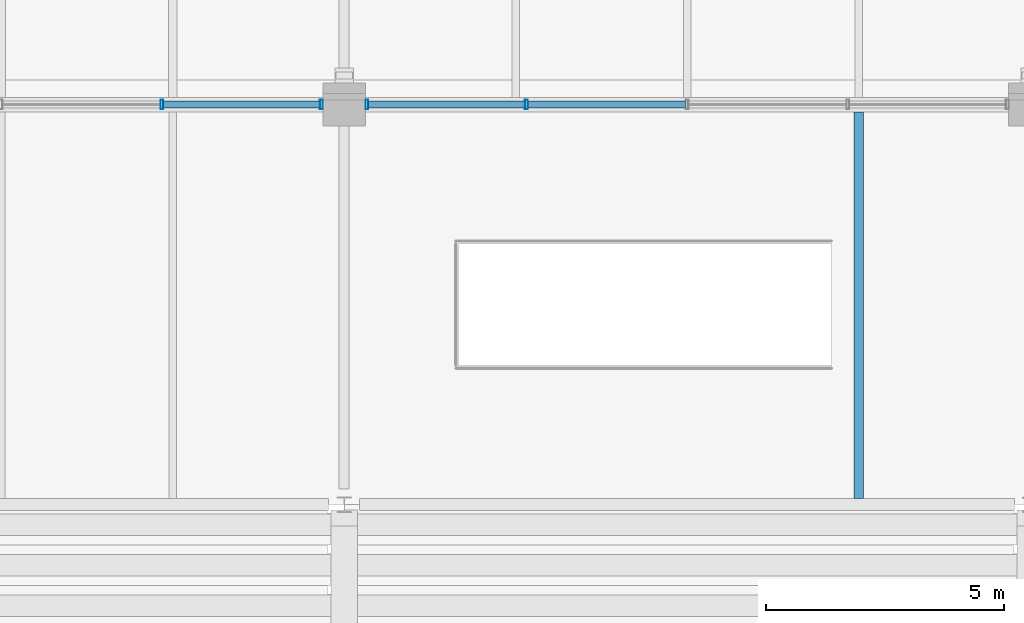
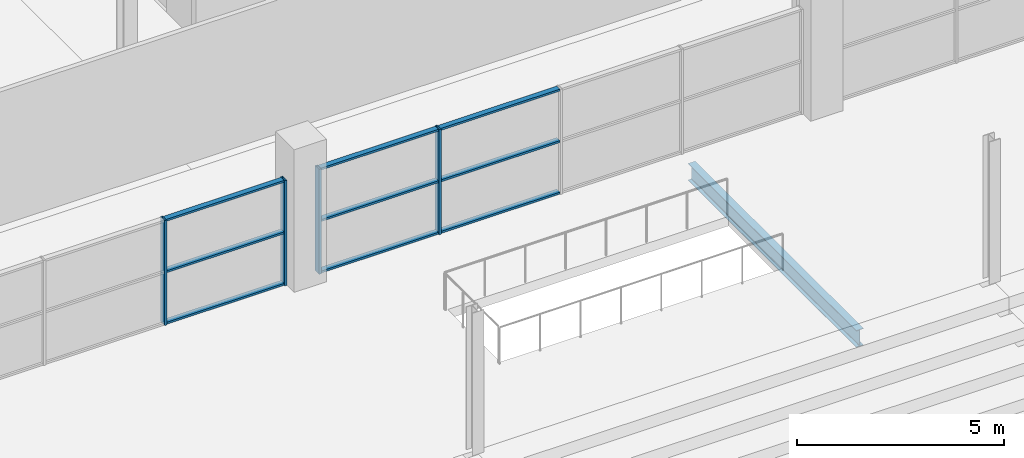
# One storey, part 64 of 161: 13 members, 1 beam, 2 elements without a shape of their own.
"""IFC4 building model written with IfcOpenShell, lengths in metres."""

from ifc_helpers import new_model, si_unit, direction, frame, origin, origin_2d, place, context, subcontext, project, spatial, hollow_rectangle, i_section, extrude, material, material_profile, profile_set, type_object, element, aggregate, save


model = new_model("IFC4")

# Units and contexts
model_context = context("Model", 3, precision=1e-05, world=origin(), true_north=direction((0.0, 1.0)))
body_context = subcontext(model_context, "Body", "Model", "MODEL_VIEW")
ifc_project = project(units=[si_unit("LENGTHUNIT", "METRE"), si_unit("AREAUNIT", "SQUARE_METRE"), si_unit("VOLUMEUNIT", "CUBIC_METRE"), si_unit("PLANEANGLEUNIT", "RADIAN"), si_unit("MASSUNIT", "GRAM", prefix="KILO"), si_unit("THERMODYNAMICTEMPERATUREUNIT", "KELVIN")], contexts=[model_context])

# Site, building, storey
site_placement = place(None, origin())
site = spatial("IfcSite", under=ifc_project, at=site_placement, CompositionType="ELEMENT")
building_placement = place(site_placement, origin())
building = spatial("IfcBuilding", under=site, at=building_placement, Name="Nduvali Passage Aquatics Centre", CompositionType="ELEMENT")
storey_placement = place(building_placement, frame((0.0, 0.0, 4.800048828125)))
storey = spatial("IfcBuildingStorey", under=building, at=storey_placement, Name="L01", CompositionType="ELEMENT", Elevation=4.800048828125)

# Curtain wall, members
ifc_material_1 = material(Name="Aluminium EN AW-6063 T6", Category="aluminium")
curtain_wall_type = type_object("IfcCurtainWallType", Name="ENV-CW-HALL", PredefinedType="NOTDEFINED", material=ifc_material_1)
curtain_wall_1_placement = place(storey_placement, origin())
curtain_wall_1 = element("IfcCurtainWall", 1, at=curtain_wall_1_placement, inside=storey, type_object=curtain_wall_type, Name="L01 North Pool Hall Concourse CW 061", PredefinedType="NOTDEFINED")
ifc_material_profile_1 = material_profile(ifc_material_1, hollow_rectangle(XDim=0.06005859375, YDim=0.199951171875, WallThickness=0.00390625, at=origin_2d()), Name="ALU MULLION 60x200x4")
ifc_profile_set_1 = profile_set([ifc_material_profile_1], Name="Aluminium EN AW-6063 T6")
member_type_1 = type_object("IfcMemberType", Name="ENV-MEM-MUL80", PredefinedType="MULLION", material=ifc_profile_set_1)
member_1_placement = place(storey_placement, frame((64.574951171875, 92.39990234375, 0.0), z_axis=(0.0, 0.0, 1.0), x_axis=(1.0, 0.0, 0.0)))
member_1 = element("IfcMember", 2, at=member_1_placement, type_object=member_type_1, Name="North Pool Hall Concourse CW Mullion 4", PredefinedType="MULLION", context=body_context, shape_type="SweptSolid", body=[
    extrude(hollow_rectangle(XDim=0.06005859375, YDim=0.199951171875, WallThickness=0.00390625, at=origin_2d()), origin(), (0.0, 0.0, 1.0), 3.09521484375),
])
member_2_placement = place(storey_placement, frame((67.919921875, 92.39990234375, 0.0), z_axis=(0.0, 0.0, 1.0), x_axis=(1.0, 0.0, 0.0)))
member_2 = element("IfcMember", 3, at=member_2_placement, type_object=member_type_1, Name="North Pool Hall Concourse CW Mullion 5", PredefinedType="MULLION", context=body_context, shape_type="SweptSolid", body=[
    extrude(hollow_rectangle(XDim=0.06005859375, YDim=0.199951171875, WallThickness=0.00390625, at=origin_2d()), origin(), (0.0, 0.0, 1.0), 3.09521484375),
])

curtain_wall_2_placement = place(storey_placement, origin())
curtain_wall_2 = element("IfcCurtainWall", 4, at=curtain_wall_2_placement, inside=storey, type_object=curtain_wall_type, Name="L01 North Pool Hall Concourse CW 062", PredefinedType="NOTDEFINED")
member_3_placement = place(storey_placement, frame((68.8798828125, 92.39990234375, 0.0), z_axis=(0.0, 0.0, 1.0), x_axis=(1.0, 0.0, 0.0)))
member_3 = element("IfcMember", 5, at=member_3_placement, type_object=member_type_1, Name="North Pool Hall Concourse CW Mullion 1", PredefinedType="MULLION", context=body_context, shape_type="SweptSolid", body=[
    extrude(hollow_rectangle(XDim=0.06005859375, YDim=0.199951171875, WallThickness=0.00390625, at=origin_2d()), origin(), (0.0, 0.0, 1.0), 3.09521484375),
])
member_4_placement = place(storey_placement, frame((72.22509765625, 92.39990234375, 0.0), z_axis=(0.0, 0.0, 1.0), x_axis=(1.0, 0.0, 0.0)))
member_4 = element("IfcMember", 6, at=member_4_placement, type_object=member_type_1, Name="North Pool Hall Concourse CW Mullion 2", PredefinedType="MULLION", context=body_context, shape_type="SweptSolid", body=[
    extrude(hollow_rectangle(XDim=0.06005859375, YDim=0.199951171875, WallThickness=0.00390625, at=origin_2d()), origin(), (0.0, 0.0, 1.0), 3.09521484375),
])

# Member
ifc_material_profile_2 = material_profile(ifc_material_1, hollow_rectangle(XDim=0.14990234375, YDim=0.06005859375, WallThickness=0.00390625, at=origin_2d()), Name="ALU TRANSOM 150x60x4")
ifc_profile_set_2 = profile_set([ifc_material_profile_2], Name="Aluminium EN AW-6063 T6")
member_type_2 = type_object("IfcMemberType", Name="ENV-MEM-TRN80", PredefinedType="USERDEFINED", material=ifc_profile_set_2)
member_5_placement = place(storey_placement, frame((64.60498046875, 92.39990234375, 0.030029296875), z_axis=(1.0, 0.0, 0.0), x_axis=(0.0, 1.0, 0.0)))
member_5 = element("IfcMember", 7, at=member_5_placement, type_object=member_type_2, Name="North Pool Hall Concourse CW Transom B4-R0", ObjectType="TRANSOM", PredefinedType="USERDEFINED", context=body_context, shape_type="SweptSolid", body=[
    extrude(hollow_rectangle(XDim=0.14990234375, YDim=0.06005859375, WallThickness=0.00390625, at=origin_2d()), origin(), (0.0, 0.0, 1.0), 3.284912109375),
])

member_6_placement = place(storey_placement, frame((64.60498046875, 92.39990234375, 1.547607421875), z_axis=(1.0, 0.0, 0.0), x_axis=(0.0, 1.0, 0.0)))
member_6 = element("IfcMember", 8, at=member_6_placement, type_object=member_type_2, Name="North Pool Hall Concourse CW Transom B4-R1", ObjectType="TRANSOM", PredefinedType="USERDEFINED", context=body_context, shape_type="SweptSolid", body=[
    extrude(hollow_rectangle(XDim=0.14990234375, YDim=0.06005859375, WallThickness=0.00390625, at=origin_2d()), origin(), (0.0, 0.0, 1.0), 3.284912109375),
])

member_7_placement = place(storey_placement, frame((64.60498046875, 92.39990234375, 3.065185546875), z_axis=(1.0, 0.0, 0.0), x_axis=(0.0, 1.0, 0.0)))
member_7 = element("IfcMember", 9, at=member_7_placement, type_object=member_type_2, Name="North Pool Hall Concourse CW Transom B4-R2", ObjectType="TRANSOM", PredefinedType="USERDEFINED", context=body_context, shape_type="SweptSolid", body=[
    extrude(hollow_rectangle(XDim=0.14990234375, YDim=0.06005859375, WallThickness=0.00390625, at=origin_2d()), origin(), (0.0, 0.0, 1.0), 3.284912109375),
])

aggregate(curtain_wall_1, [member_1, member_2, member_5, member_6, member_7])

member_8_placement = place(storey_placement, frame((68.909912109375, 92.39990234375, 0.030029296875), z_axis=(1.0, 0.0, 0.0), x_axis=(0.0, 1.0, 0.0)))
member_8 = element("IfcMember", 10, at=member_8_placement, type_object=member_type_2, Name="North Pool Hall Concourse CW Transom B1-R0", ObjectType="TRANSOM", PredefinedType="USERDEFINED", context=body_context, shape_type="SweptSolid", body=[
    extrude(hollow_rectangle(XDim=0.14990234375, YDim=0.06005859375, WallThickness=0.00390625, at=origin_2d()), origin(), (0.0, 0.0, 1.0), 3.28515625),
])

member_9_placement = place(storey_placement, frame((68.909912109375, 92.39990234375, 1.547607421875), z_axis=(1.0, 0.0, 0.0), x_axis=(0.0, 1.0, 0.0)))
member_9 = element("IfcMember", 11, at=member_9_placement, type_object=member_type_2, Name="North Pool Hall Concourse CW Transom B1-R1", ObjectType="TRANSOM", PredefinedType="USERDEFINED", context=body_context, shape_type="SweptSolid", body=[
    extrude(hollow_rectangle(XDim=0.14990234375, YDim=0.06005859375, WallThickness=0.00390625, at=origin_2d()), origin(), (0.0, 0.0, 1.0), 3.28515625),
])

member_10_placement = place(storey_placement, frame((68.909912109375, 92.39990234375, 3.065185546875), z_axis=(1.0, 0.0, 0.0), x_axis=(0.0, 1.0, 0.0)))
member_10 = element("IfcMember", 12, at=member_10_placement, type_object=member_type_2, Name="North Pool Hall Concourse CW Transom B1-R2", ObjectType="TRANSOM", PredefinedType="USERDEFINED", context=body_context, shape_type="SweptSolid", body=[
    extrude(hollow_rectangle(XDim=0.14990234375, YDim=0.06005859375, WallThickness=0.00390625, at=origin_2d()), origin(), (0.0, 0.0, 1.0), 3.28515625),
])

member_11_placement = place(storey_placement, frame((72.2548828125, 92.39990234375, 0.030029296875), z_axis=(1.0, 0.0, 0.0), x_axis=(0.0, 1.0, 0.0)))
member_11 = element("IfcMember", 13, at=member_11_placement, type_object=member_type_2, Name="North Pool Hall Concourse CW Transom B2-R0", ObjectType="TRANSOM", PredefinedType="USERDEFINED", context=body_context, shape_type="SweptSolid", body=[
    extrude(hollow_rectangle(XDim=0.14990234375, YDim=0.06005859375, WallThickness=0.00390625, at=origin_2d()), origin(), (0.0, 0.0, 1.0), 3.315185546875),
])

member_12_placement = place(storey_placement, frame((72.2548828125, 92.39990234375, 1.547607421875), z_axis=(1.0, 0.0, 0.0), x_axis=(0.0, 1.0, 0.0)))
member_12 = element("IfcMember", 14, at=member_12_placement, type_object=member_type_2, Name="North Pool Hall Concourse CW Transom B2-R1", ObjectType="TRANSOM", PredefinedType="USERDEFINED", context=body_context, shape_type="SweptSolid", body=[
    extrude(hollow_rectangle(XDim=0.14990234375, YDim=0.06005859375, WallThickness=0.00390625, at=origin_2d()), origin(), (0.0, 0.0, 1.0), 3.315185546875),
])

member_13_placement = place(storey_placement, frame((72.2548828125, 92.39990234375, 3.065185546875), z_axis=(1.0, 0.0, 0.0), x_axis=(0.0, 1.0, 0.0)))
member_13 = element("IfcMember", 15, at=member_13_placement, type_object=member_type_2, Name="North Pool Hall Concourse CW Transom B2-R2", ObjectType="TRANSOM", PredefinedType="USERDEFINED", context=body_context, shape_type="SweptSolid", body=[
    extrude(hollow_rectangle(XDim=0.14990234375, YDim=0.06005859375, WallThickness=0.00390625, at=origin_2d()), origin(), (0.0, 0.0, 1.0), 3.315185546875),
])

aggregate(curtain_wall_2, [member_3, member_4, member_8, member_9, member_10, member_11, member_12, member_13])

# Beam
ifc_material_2 = material(Name="Steel S355", Category="steel")
ifc_material_profile_3 = material_profile(ifc_material_2, i_section(OverallWidth=0.199951171875, OverallDepth=0.5, WebThickness=0.01025390625, FlangeThickness=0.01611328125, FilletRadius=0.02099609375, at=origin_2d()), Name="IPE 500")
ifc_profile_set_3 = profile_set([ifc_material_profile_3], Name="Steel S355")
beam_type = type_object("IfcBeamType", Name="STR-JST-IPE500", PredefinedType="JOIST", material=ifc_profile_set_3)
beam_placement = place(storey_placement, frame((79.199951171875, 84.126708984375, -0.533935546875), z_axis=(0.0, 1.0, 0.0), x_axis=(-1.0, 0.0, 0.0)))
element("IfcBeam", 16, at=beam_placement, inside=storey, type_object=beam_type, Name="L01 Secondary Joist J5A-0802", PredefinedType="JOIST", context=body_context, shape_type="SweptSolid", body=[
    extrude(i_section(OverallWidth=0.199951171875, OverallDepth=0.5, WebThickness=0.01025390625, FlangeThickness=0.01611328125, FilletRadius=0.02099609375, at=origin_2d()), origin(), (0.0, 0.0, 1.0), 8.121337890625),
])

save(model, "model.ifc")
